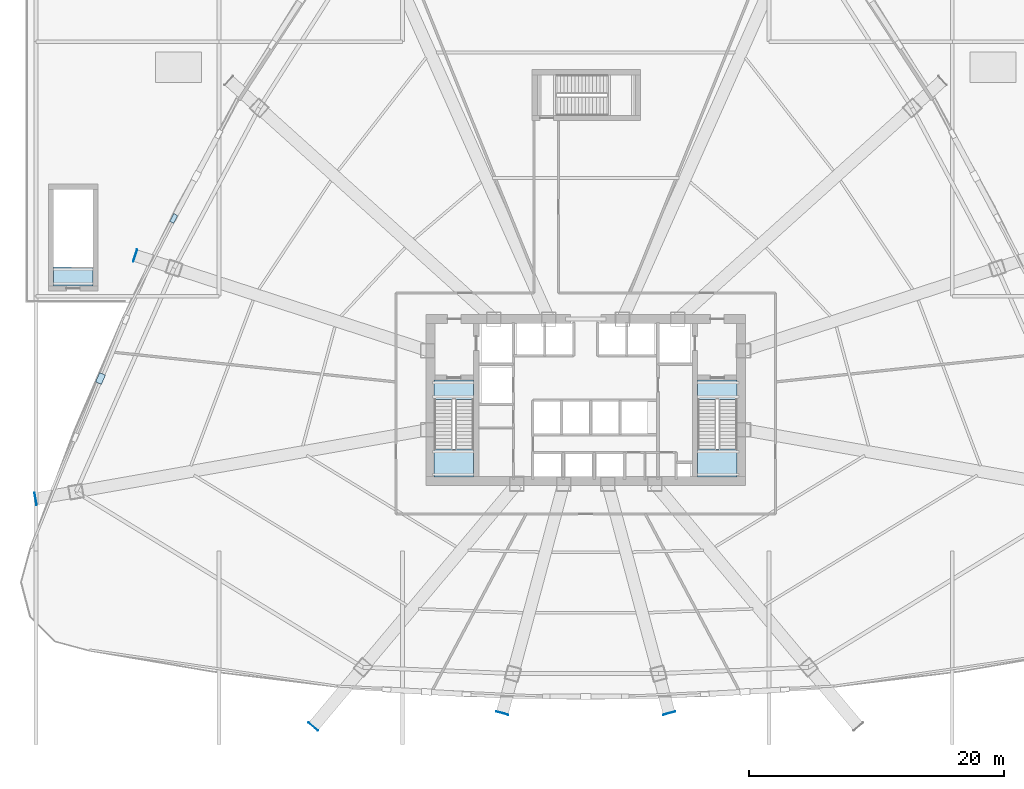
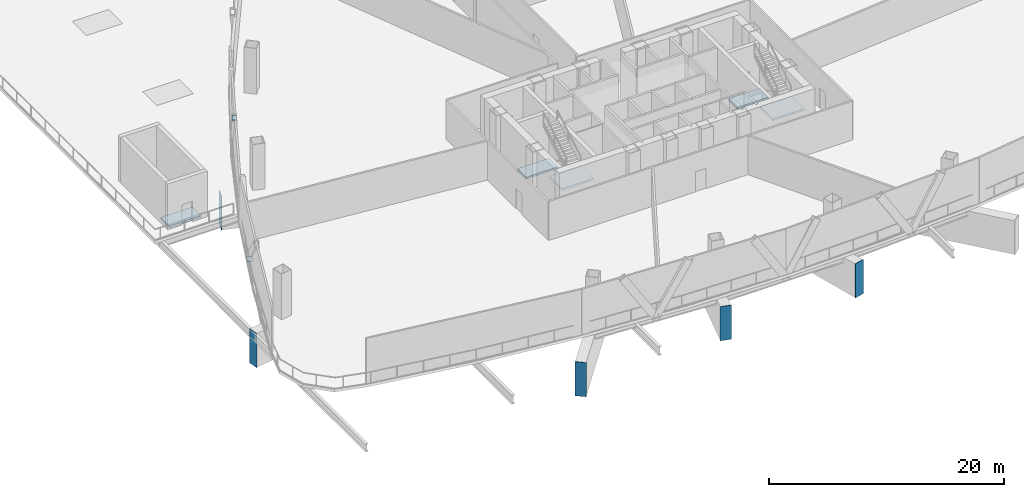
# One storey, part 4 of 18: 7 plates, 5 slabs, 2 elements without a shape of their own.
"""IFC4 building model written with IfcOpenShell, lengths in metres."""

from ifc_helpers import new_model, si_unit, direction, frame, origin, origin_2d, place, context, subcontext, project, spatial, polyline, rectangle, outline, extrude, source, transform, mapped, material, layer, layer_set, type_object, element, aggregate, save


model = new_model("IFC4")

# Units and contexts
model_context = context("Model", 3, precision=1e-05, world=origin(), true_north=direction((0.0, 1.0)))
body_context = subcontext(model_context, "Body", "Model", "MODEL_VIEW")
ifc_project = project(units=[si_unit("LENGTHUNIT", "METRE"), si_unit("AREAUNIT", "SQUARE_METRE"), si_unit("VOLUMEUNIT", "CUBIC_METRE"), si_unit("PLANEANGLEUNIT", "RADIAN"), si_unit("MASSUNIT", "GRAM", prefix="KILO"), si_unit("THERMODYNAMICTEMPERATUREUNIT", "KELVIN"), si_unit("POWERUNIT", "WATT")], contexts=[model_context])

# Site, building, storey
site_placement = place(None, origin())
site = spatial("IfcSite", under=ifc_project, at=site_placement, CompositionType="ELEMENT")
building_placement = place(site_placement, origin())
building = spatial("IfcBuilding", under=site, at=building_placement, Name="Yunzhuo Pagoda Commons", CompositionType="ELEMENT")
storey_placement = place(building_placement, frame((0.0, 0.0, 25.39990234375)))
storey = spatial("IfcBuildingStorey", under=building, at=storey_placement, Name="L06", CompositionType="ELEMENT", Elevation=25.39990234375)

# Stair, slabs
ifc_material_1 = material(Name="Concrete C40", Category="concrete")
stair_type_1 = type_object("IfcStairType", Name="ST-C1 Core Smokeproof Stair ST1", PredefinedType="HALF_TURN_STAIR", material=ifc_material_1)
stair_1_placement = place(storey_placement, origin())
stair_1 = element("IfcStair", 1, at=stair_1_placement, inside=storey, type_object=stair_type_1, Name="L06 Core smokeproof stair ST1", PredefinedType="HALF_TURN_STAIR")
ifc_layer_1 = layer(ifc_material_1, 0.199951171875)
ifc_layer_set_1 = layer_set([ifc_layer_1], Name="Concrete C40")
slab_type_1 = type_object("IfcSlabType", Name="SL-LND1 Stair Landing Slab 200", PredefinedType="LANDING", material=ifc_layer_set_1)
slab_1_placement = place(storey_placement, frame((0.0, 0.0, 2.300048828125)))
slab_1 = element("IfcSlab", 2, at=slab_1_placement, type_object=slab_type_1, Name="ST1 landing 1", PredefinedType="LANDING", context=body_context, shape_type="SweptSolid", body=[
    extrude(outline(polyline([(36.10009765625, 29.97998046875), (36.10009765625, 27.800048828125), (39.199951171875, 27.800048828125), (39.199951171875, 29.97998046875), (36.10009765625, 29.97998046875)])), origin(), (0.0, 0.0, 1.0), 0.199951171875),
])
slab_2_placement = place(storey_placement, frame((0.0, 0.0, -0.199951171875)))
slab_2 = element("IfcSlab", 3, at=slab_2_placement, type_object=slab_type_1, Name="ST1 floor landing L06", PredefinedType="LANDING", context=body_context, shape_type="SweptSolid", body=[
    extrude(outline(polyline([(36.10009765625, 35.39990234375), (36.10009765625, 33.89990234375), (39.199951171875, 33.89990234375), (39.199951171875, 35.39990234375), (36.10009765625, 35.39990234375)])), origin(), (0.0, 0.0, 1.0), 0.199951171875),
])
aggregate(stair_1, [slab_1, slab_2])

stair_type_2 = type_object("IfcStairType", Name="ST-C2 Core Smokeproof Stair ST2", PredefinedType="HALF_TURN_STAIR", material=ifc_material_1)
stair_2_placement = place(storey_placement, origin())
stair_2 = element("IfcStair", 4, at=stair_2_placement, inside=storey, type_object=stair_type_2, Name="L06 Core smokeproof stair ST2", PredefinedType="HALF_TURN_STAIR")
ifc_layer_2 = layer(ifc_material_1, 0.201904296875)
ifc_layer_set_2 = layer_set([ifc_layer_2], Name="Concrete C40")
slab_type_2 = type_object("IfcSlabType", Name="SL-LND2 Stair Landing Slab 202", PredefinedType="LANDING", material=ifc_layer_set_2)
slab_3_placement = place(storey_placement, frame((0.0, 0.0, 2.300048828125)))
slab_3 = element("IfcSlab", 5, at=slab_3_placement, type_object=slab_type_2, Name="ST2 landing 1", PredefinedType="LANDING", context=body_context, shape_type="SweptSolid", body=[
    extrude(outline(polyline([(56.800048828125, 29.97998046875), (56.800048828125, 27.800048828125), (59.89990234375, 27.800048828125), (59.89990234375, 29.97998046875), (56.800048828125, 29.97998046875)])), origin(), (0.0, 0.0, 1.0), 0.199951171875),
])
slab_4_placement = place(storey_placement, frame((0.0, 0.0, -0.199951171875)))
slab_4 = element("IfcSlab", 6, at=slab_4_placement, type_object=slab_type_2, Name="ST2 floor landing L06", PredefinedType="LANDING", context=body_context, shape_type="SweptSolid", body=[
    extrude(outline(polyline([(56.800048828125, 35.39990234375), (56.800048828125, 33.89990234375), (59.89990234375, 33.89990234375), (59.89990234375, 35.39990234375), (56.800048828125, 35.39990234375)])), origin(), (0.0, 0.0, 1.0), 0.199951171875),
])
aggregate(stair_2, [slab_3, slab_4])

# Slab
ifc_layer_3 = layer(ifc_material_1, 0.2060546875)
ifc_layer_set_3 = layer_set([ifc_layer_3], Name="Concrete C40")
slab_type_3 = type_object("IfcSlabType", Name="SL-LND3 Podium Landing Slab 206", PredefinedType="LANDING", material=ifc_layer_set_3)
slab_5_placement = place(storey_placement, frame((0.0, 0.0, -0.199951171875)))
element("IfcSlab", 7, at=slab_5_placement, inside=storey, type_object=slab_type_3, Name="PS3 floor landing L06", PredefinedType="LANDING", context=body_context, shape_type="SweptSolid", body=[
    extrude(outline(polyline([(9.300048828125, 42.800048828125), (9.300048828125, 44.300048828125), (6.199951171875, 44.300048828125), (6.199951171875, 42.800048828125), (9.300048828125, 42.800048828125)])), origin(), (0.0, 0.0, 1.0), 0.199951171875),
])

# Plates
ifc_material_2 = material(Name="Structural steel Q420B", Category="steel")
ifc_layer_4 = layer(ifc_material_2, 0.0400390625)
ifc_layer_set_4 = layer_set([ifc_layer_4], Name="Structural steel Q420B")
plate_type_1 = type_object("IfcPlateType", Name="EP-TR2 Transfer Girder End Cap Plate 980x3540x40", PredefinedType="USERDEFINED", material=ifc_layer_set_4)
shared_shape_1 = source(origin(), body_context, "Body", "SweptSolid", [
    extrude(rectangle(XDim=0.97998046875, YDim=0.0400390625, at=origin_2d()), origin(), (0.0, 0.0, 1.0), 3.5400390625),
])
for number, where, z_axis, x_axis, name in (
    (8, (26.59130859375, 8.186279296875, -3.7998046875), (0.0, 0.0, 1.0), (0.766044443119, -0.642787609687, 0.0), "L06 transfer girder end cap plate F1C1"),
    (9, (41.447021484375, 9.24365234375, -3.7998046875), (0.0, 0.0, 1.0), (0.965925826289, -0.258819045103, 0.0), "L06 transfer girder end cap plate F1C2"),
    (10, (54.552978515625, 9.24365234375, -3.7998046875), (0.0, 0.0, 1.0), (0.965925826289, 0.258819045103, 0.0), "L06 transfer girder end cap plate F1C3"),
    (11, (12.60400390625, 45.200927734375, -3.7998046875), (0.0, 0.0, 1.0), (-0.309016994375, -0.951056516295, 0.0), "L06 transfer girder end cap plate F3C3"),
    (12, (4.783203125, 26.079833984375, -3.7998046875), (0.0, 0.0, 1.0), (0.173648177667, -0.984807753012, 0.0), "L06 transfer girder end cap plate F3C4"),
):
    element("IfcPlate", number, at=place(storey_placement, frame(where, z_axis=z_axis, x_axis=x_axis)), inside=storey, type_object=plate_type_1, Name=name, ObjectType="END_PLATE", PredefinedType="USERDEFINED", context=body_context, shape_type="MappedRepresentation", body=[
        mapped(shared_shape_1, transform((0.0, 0.0, 0.0), scale=1.0)),
    ])
ifc_material_3 = material(Name="Structural steel Q355B", Category="steel")
ifc_layer_5 = layer(ifc_material_3, 0.028076171875)
ifc_layer_set_5 = layer_set([ifc_layer_5], Name="Structural steel Q355B")
plate_type_2 = type_object("IfcPlateType", Name="SP-ND1 Lattice Node Cap Plate 800x500x28", PredefinedType="USERDEFINED", material=ifc_layer_set_5)
shared_shape_2 = source(origin(), body_context, "Body", "SweptSolid", [
    extrude(rectangle(XDim=0.800048828125, YDim=0.5, at=origin_2d()), origin(), (0.0, 0.0, 1.0), 0.028076171875),
])
plate_1_placement = place(storey_placement, frame((9.88037109375, 35.534912109375, -0.2939453125), z_axis=(0.0, 0.0, 1.0), x_axis=(-0.39485610496, -0.918742976232, 0.0)))
element("IfcPlate", 13, at=plate_1_placement, inside=storey, type_object=plate_type_2, Name="L06 diamond node plate F3.3A", ObjectType="STIFFENER_PLATE", PredefinedType="USERDEFINED", context=body_context, shape_type="MappedRepresentation", body=[
    mapped(shared_shape_2, transform((0.0, 0.0, 0.0), scale=1.0)),
])
shared_shape_3 = source(origin(), body_context, "Body", "SweptSolid", [
    extrude(rectangle(XDim=0.699951171875, YDim=0.35009765625, at=origin_2d()), origin(), (0.0, 0.0, 1.0), 0.035888671875),
])
plate_2_placement = place(storey_placement, frame((15.63037109375, 48.110107421875, 4.7021484375), z_axis=(0.0, 0.0, 1.0), x_axis=(-0.470981088896, -0.882143306897, 0.0)))
element("IfcPlate", 14, at=plate_2_placement, inside=storey, type_object=plate_type_2, Name="L06 setback lattice tie plate F3.2R", ObjectType="STIFFENER_PLATE", PredefinedType="USERDEFINED", context=body_context, shape_type="MappedRepresentation", body=[
    mapped(shared_shape_3, transform((0.0, 0.0, 0.0), scale=1.0)),
])

save(model, "model.ifc")
